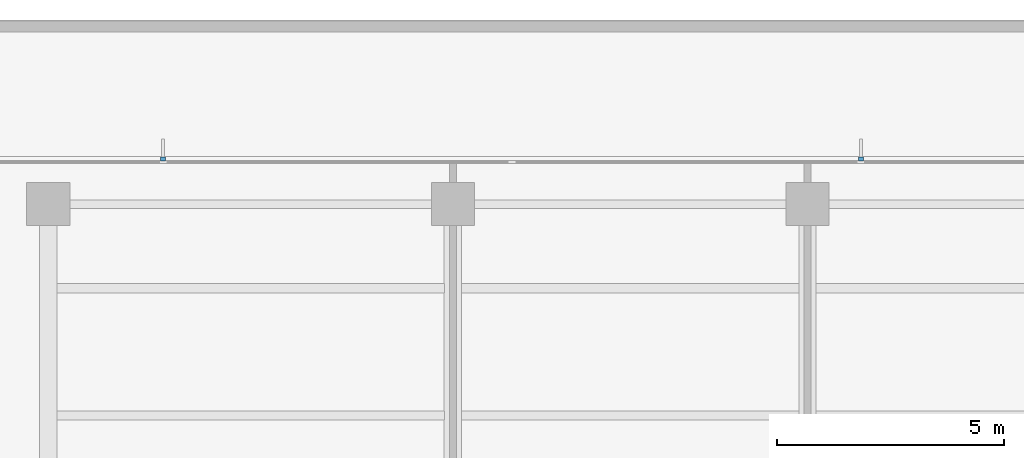
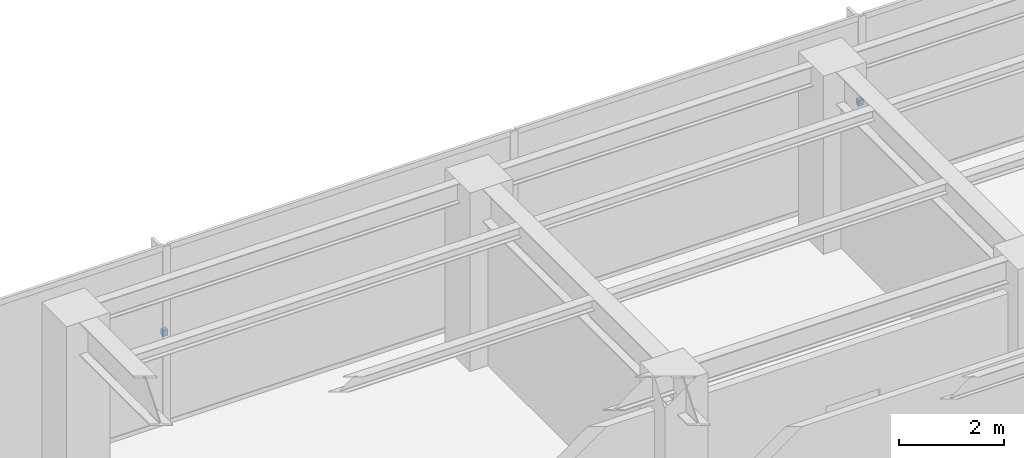
# One storey, part 12 of 14: 2 discrete accessories.
"""IFC4 building model written with IfcOpenShell, lengths in metres."""

from ifc_helpers import new_model, si_unit, direction, frame, origin, place, context, subcontext, project, spatial, polyline, outline, extrude, material, type_object, element, save


model = new_model("IFC4")

# Units and contexts
model_context = context("Model", 3, precision=1e-05, world=origin(), true_north=direction((0.0, 1.0)))
body_context = subcontext(model_context, "Body", "Model", "MODEL_VIEW")
ifc_project = project(units=[si_unit("LENGTHUNIT", "METRE"), si_unit("AREAUNIT", "SQUARE_METRE"), si_unit("VOLUMEUNIT", "CUBIC_METRE"), si_unit("PLANEANGLEUNIT", "RADIAN"), si_unit("MASSUNIT", "GRAM", prefix="KILO")], contexts=[model_context])

# Site, building, storey
site_placement = place(None, origin())
site = spatial("IfcSite", under=ifc_project, at=site_placement, CompositionType="ELEMENT")
building_placement = place(site_placement, origin())
building = spatial("IfcBuilding", under=site, at=building_placement, Name="Qalmaran Belvedere Hotel", CompositionType="ELEMENT")
storey_placement = place(building_placement, frame((0.0, 0.0, 192.5)))
storey = spatial("IfcBuildingStorey", under=building, at=storey_placement, Name="L48", CompositionType="ELEMENT", Elevation=192.5)

# Discrete accessories
ifc_material = material(Name="Stainless Steel 1.4401", Category="steel")
discrete_accessory_type = type_object("IfcDiscreteAccessoryType", Name="BRK-FIN-SS316", PredefinedType="BRACKET", material=ifc_material)
discrete_accessory_1_placement = place(storey_placement, frame((0.0, 0.0, 2.030029296875)))
element("IfcDiscreteAccessory", 1, at=discrete_accessory_1_placement, inside=storey, type_object=discrete_accessory_type, Name="L48 Fin Bracket 1", PredefinedType="BRACKET", context=body_context, shape_type="SweptSolid", body=[
    extrude(outline(polyline([(38.22998046875, 41.39501953125), (38.22998046875, 41.487548828125), (38.1201171875, 41.487548828125), (38.1201171875, 41.39501953125), (38.22998046875, 41.39501953125)])), origin(), (0.0, 0.0, 1.0), 0.139892578125),
])
discrete_accessory_2_placement = place(storey_placement, frame((0.0, 0.0, 2.030029296875)))
element("IfcDiscreteAccessory", 2, at=discrete_accessory_2_placement, inside=storey, type_object=discrete_accessory_type, Name="L48 Fin Bracket 3", PredefinedType="BRACKET", context=body_context, shape_type="SweptSolid", body=[
    extrude(outline(polyline([(22.8798828125, 41.39501953125), (22.8798828125, 41.487548828125), (22.77001953125, 41.487548828125), (22.77001953125, 41.39501953125), (22.8798828125, 41.39501953125)])), origin(), (0.0, 0.0, 1.0), 0.139892578125),
])

save(model, "model.ifc")
